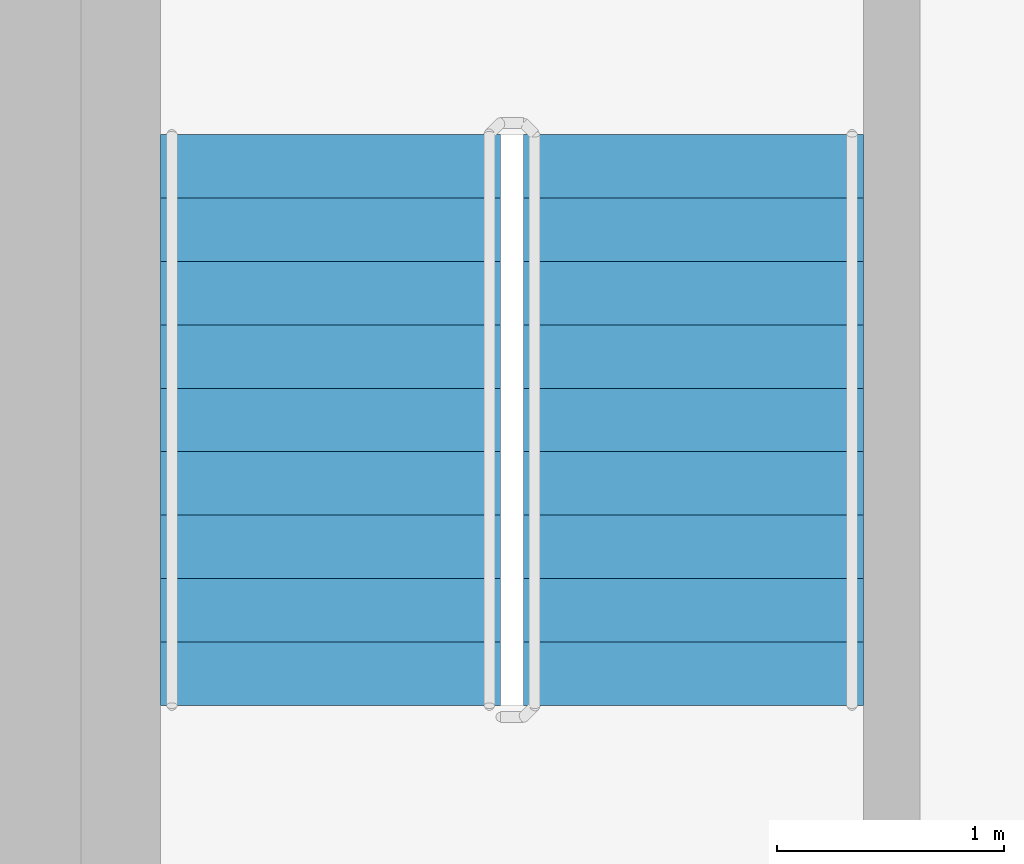
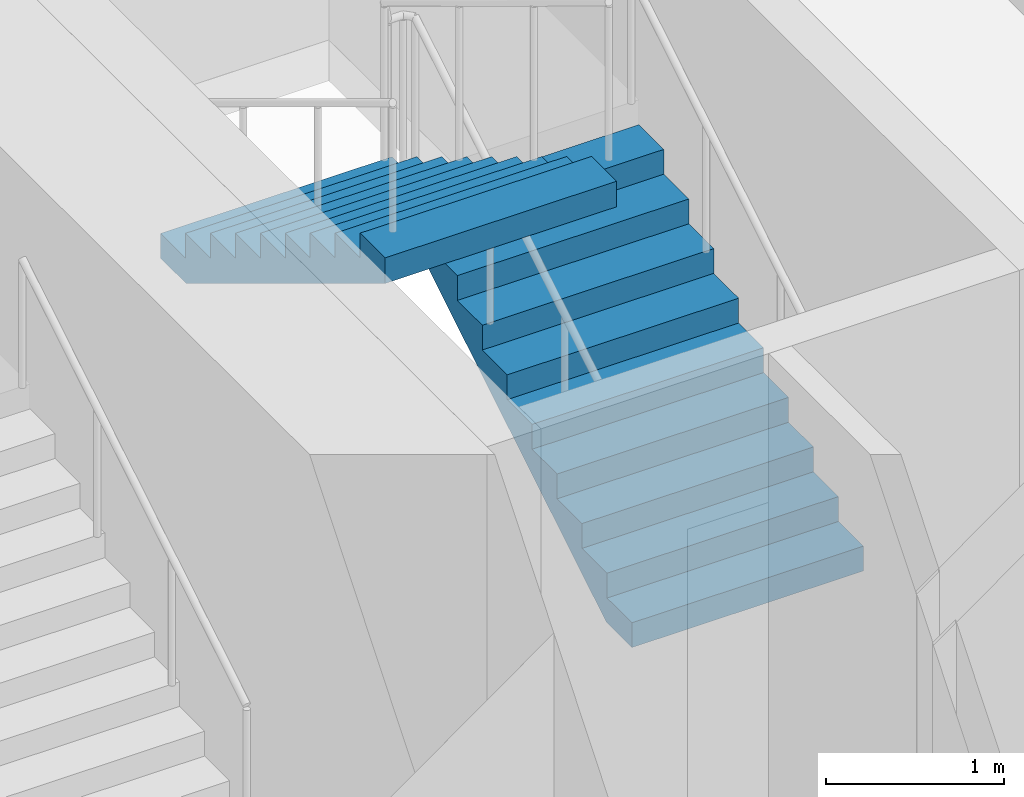
# One storey, part 14 of 22: 2 stair flights, 1 element without a shape of its own.
"""IFC4 building model written with IfcOpenShell, lengths in metres."""

from ifc_helpers import new_model, si_unit, direction, frame, origin, place, context, subcontext, project, spatial, triangles, source, transform, mapped, material, type_object, element, aggregate, save


model = new_model("IFC4")

# Units and contexts
model_context = context("Model", 3, precision=1e-05, world=origin(), true_north=direction((0.0, 1.0)))
body_context = subcontext(model_context, "Body", "Model", "MODEL_VIEW")
ifc_project = project(units=[si_unit("LENGTHUNIT", "METRE"), si_unit("AREAUNIT", "SQUARE_METRE"), si_unit("VOLUMEUNIT", "CUBIC_METRE"), si_unit("PLANEANGLEUNIT", "RADIAN"), si_unit("MASSUNIT", "GRAM", prefix="KILO")], contexts=[model_context])

# Site, building, storey
site_placement = place(None, origin())
site = spatial("IfcSite", under=ifc_project, at=site_placement, CompositionType="ELEMENT")
building_placement = place(site_placement, origin())
building = spatial("IfcBuilding", under=site, at=building_placement, Name="Kilnfold Tower and Market Hall", CompositionType="ELEMENT")
storey_placement = place(building_placement, frame((0.0, 0.0, 143.89990234375)))
storey = spatial("IfcBuildingStorey", under=building, at=storey_placement, Name="L32", CompositionType="ELEMENT", Elevation=143.89990234375)

# Stair, stair flights
ifc_material_1 = material(Name="Concrete C40/50", Category="concrete")
stair_type = type_object("IfcStairType", Name="CORE STAIR 1500", PredefinedType="HALF_TURN_STAIR", material=ifc_material_1)
stair_placement = place(storey_placement, origin())
stair = element("IfcStair", 1, at=stair_placement, inside=storey, type_object=stair_type, Name="L32 ST5", PredefinedType="HALF_TURN_STAIR")
ifc_material_2 = material(Name="Concrete C40/50", Category="concrete")
stair_flight_type = type_object("IfcStairFlightType", Name="CORE STAIR FLIGHT 1500", PredefinedType="STRAIGHT", material=ifc_material_2)
shared_shape = source(origin(), body_context, "Body", "Tessellation", [
    triangles([(0.0, 0.75, 0.0), (0.0, 0.65625, 0.0), (0.0, 0.5625, 0.0), (0.0, 0.46875, 0.0), (0.0, 0.375, 0.0), (0.0, 0.28125, 0.0), (0.0, 0.1875, 0.0), (0.0, 0.09375, 0.0), (0.0, 0.0, 0.0), (0.0, -0.09375, 0.0), (0.0, -0.1875, 0.0), (0.0, -0.28125, 0.0), (0.0, -0.375, 0.0), (0.0, -0.46875, 0.0), (0.0, -0.5625, 0.0), (0.0, -0.65625, 0.0), (0.0, -0.75, 0.0), (0.0, 0.75, 0.169921875), (0.0, 0.65625, 0.169921875), (0.0, 0.5625, 0.169921875), (0.0, 0.46875, 0.169921875), (0.0, 0.375, 0.169921875), (0.0, 0.28125, 0.169921875), (0.0, 0.1875, 0.169921875), (0.0, 0.09375, 0.169921875), (0.0, 0.0, 0.169921875), (0.0, -0.09375, 0.169921875), (0.0, -0.1875, 0.169921875), (0.0, -0.28125, 0.169921875), (0.0, -0.375, 0.169921875), (0.0, -0.46875, 0.169921875), (0.0, -0.5625, 0.169921875), (0.0, -0.65625, 0.169921875), (0.0, -0.75, 0.169921875), (0.280029296875, 0.75, 0.169921875), (0.280029296875, 0.65625, 0.169921875), (0.280029296875, 0.5625, 0.169921875), (0.280029296875, 0.46875, 0.169921875), (0.280029296875, 0.375, 0.169921875), (0.280029296875, 0.28125, 0.169921875), (0.280029296875, 0.1875, 0.169921875), (0.280029296875, 0.09375, 0.169921875), (0.280029296875, 0.0, 0.169921875), (0.280029296875, -0.09375, 0.169921875), (0.280029296875, -0.1875, 0.169921875), (0.280029296875, -0.28125, 0.169921875), (0.280029296875, -0.375, 0.169921875), (0.280029296875, -0.46875, 0.169921875), (0.280029296875, -0.5625, 0.169921875), (0.280029296875, -0.65625, 0.169921875), (0.280029296875, -0.75, 0.169921875), (0.280029296875, 0.75, 0.340087890625), (0.280029296875, 0.65625, 0.340087890625), (0.280029296875, 0.5625, 0.340087890625), (0.280029296875, 0.46875, 0.340087890625), (0.280029296875, 0.375, 0.340087890625), (0.280029296875, 0.28125, 0.340087890625), (0.280029296875, 0.1875, 0.340087890625), (0.280029296875, 0.09375, 0.340087890625), (0.280029296875, 0.0, 0.340087890625), (0.280029296875, -0.09375, 0.340087890625), (0.280029296875, -0.1875, 0.340087890625), (0.280029296875, -0.28125, 0.340087890625), (0.280029296875, -0.375, 0.340087890625), (0.280029296875, -0.46875, 0.340087890625), (0.280029296875, -0.5625, 0.340087890625), (0.280029296875, -0.65625, 0.340087890625), (0.280029296875, -0.75, 0.340087890625), (0.56005859375, 0.75, 0.340087890625), (0.56005859375, 0.65625, 0.340087890625), (0.56005859375, 0.5625, 0.340087890625), (0.56005859375, 0.46875, 0.340087890625), (0.56005859375, 0.375, 0.340087890625), (0.56005859375, 0.28125, 0.340087890625), (0.56005859375, 0.1875, 0.340087890625), (0.56005859375, 0.09375, 0.340087890625), (0.56005859375, 0.0, 0.340087890625), (0.56005859375, -0.09375, 0.340087890625), (0.56005859375, -0.1875, 0.340087890625), (0.56005859375, -0.28125, 0.340087890625), (0.56005859375, -0.375, 0.340087890625), (0.56005859375, -0.46875, 0.340087890625), (0.56005859375, -0.5625, 0.340087890625), (0.56005859375, -0.65625, 0.340087890625), (0.56005859375, -0.75, 0.340087890625), (0.56005859375, 0.75, 0.510009765625), (0.56005859375, 0.65625, 0.510009765625), (0.56005859375, 0.5625, 0.510009765625), (0.56005859375, 0.46875, 0.510009765625), (0.56005859375, 0.375, 0.510009765625), (0.56005859375, 0.28125, 0.510009765625), (0.56005859375, 0.1875, 0.510009765625), (0.56005859375, 0.09375, 0.510009765625), (0.56005859375, 0.0, 0.510009765625), (0.56005859375, -0.09375, 0.510009765625), (0.56005859375, -0.1875, 0.510009765625), (0.56005859375, -0.28125, 0.510009765625), (0.56005859375, -0.375, 0.510009765625), (0.56005859375, -0.46875, 0.510009765625), (0.56005859375, -0.5625, 0.510009765625), (0.56005859375, -0.65625, 0.510009765625), (0.56005859375, -0.75, 0.510009765625), (0.840087890625, 0.75, 0.510009765625), (0.840087890625, 0.65625, 0.510009765625), (0.840087890625, 0.5625, 0.510009765625), (0.840087890625, 0.46875, 0.510009765625), (0.840087890625, 0.375, 0.510009765625), (0.840087890625, 0.28125, 0.510009765625), (0.840087890625, 0.1875, 0.510009765625), (0.840087890625, 0.09375, 0.510009765625), (0.840087890625, 0.0, 0.510009765625), (0.840087890625, -0.09375, 0.510009765625), (0.840087890625, -0.1875, 0.510009765625), (0.840087890625, -0.28125, 0.510009765625), (0.840087890625, -0.375, 0.510009765625), (0.840087890625, -0.46875, 0.510009765625), (0.840087890625, -0.5625, 0.510009765625), (0.840087890625, -0.65625, 0.510009765625), (0.840087890625, -0.75, 0.510009765625), (0.840087890625, 0.75, 0.679931640625), (0.840087890625, 0.65625, 0.679931640625), (0.840087890625, 0.5625, 0.679931640625), (0.840087890625, 0.46875, 0.679931640625), (0.840087890625, 0.375, 0.679931640625), (0.840087890625, 0.28125, 0.679931640625), (0.840087890625, 0.1875, 0.679931640625), (0.840087890625, 0.09375, 0.679931640625), (0.840087890625, 0.0, 0.679931640625), (0.840087890625, -0.09375, 0.679931640625), (0.840087890625, -0.1875, 0.679931640625), (0.840087890625, -0.28125, 0.679931640625), (0.840087890625, -0.375, 0.679931640625), (0.840087890625, -0.46875, 0.679931640625), (0.840087890625, -0.5625, 0.679931640625), (0.840087890625, -0.65625, 0.679931640625), (0.840087890625, -0.75, 0.679931640625), (1.1201171875, 0.75, 0.679931640625), (1.1201171875, 0.65625, 0.679931640625), (1.1201171875, 0.5625, 0.679931640625), (1.1201171875, 0.46875, 0.679931640625), (1.1201171875, 0.375, 0.679931640625), (1.1201171875, 0.28125, 0.679931640625), (1.1201171875, 0.1875, 0.679931640625), (1.1201171875, 0.09375, 0.679931640625), (1.1201171875, 0.0, 0.679931640625), (1.1201171875, -0.09375, 0.679931640625), (1.1201171875, -0.1875, 0.679931640625), (1.1201171875, -0.28125, 0.679931640625), (1.1201171875, -0.375, 0.679931640625), (1.1201171875, -0.46875, 0.679931640625), (1.1201171875, -0.5625, 0.679931640625), (1.1201171875, -0.65625, 0.679931640625), (1.1201171875, -0.75, 0.679931640625), (1.1201171875, 0.75, 0.85009765625), (1.1201171875, 0.65625, 0.85009765625), (1.1201171875, 0.5625, 0.85009765625), (1.1201171875, 0.46875, 0.85009765625), (1.1201171875, 0.375, 0.85009765625), (1.1201171875, 0.28125, 0.85009765625), (1.1201171875, 0.1875, 0.85009765625), (1.1201171875, 0.09375, 0.85009765625), (1.1201171875, 0.0, 0.85009765625), (1.1201171875, -0.09375, 0.85009765625), (1.1201171875, -0.1875, 0.85009765625), (1.1201171875, -0.28125, 0.85009765625), (1.1201171875, -0.375, 0.85009765625), (1.1201171875, -0.46875, 0.85009765625), (1.1201171875, -0.5625, 0.85009765625), (1.1201171875, -0.65625, 0.85009765625), (1.1201171875, -0.75, 0.85009765625), (1.39990234375, 0.75, 0.85009765625), (1.39990234375, 0.65625, 0.85009765625), (1.39990234375, 0.5625, 0.85009765625), (1.39990234375, 0.46875, 0.85009765625), (1.39990234375, 0.375, 0.85009765625), (1.39990234375, 0.28125, 0.85009765625), (1.39990234375, 0.1875, 0.85009765625), (1.39990234375, 0.09375, 0.85009765625), (1.39990234375, 0.0, 0.85009765625), (1.39990234375, -0.09375, 0.85009765625), (1.39990234375, -0.1875, 0.85009765625), (1.39990234375, -0.28125, 0.85009765625), (1.39990234375, -0.375, 0.85009765625), (1.39990234375, -0.46875, 0.85009765625), (1.39990234375, -0.5625, 0.85009765625), (1.39990234375, -0.65625, 0.85009765625), (1.39990234375, -0.75, 0.85009765625), (1.39990234375, 0.75, 1.02001953125), (1.39990234375, 0.65625, 1.02001953125), (1.39990234375, 0.5625, 1.02001953125), (1.39990234375, 0.46875, 1.02001953125), (1.39990234375, 0.375, 1.02001953125), (1.39990234375, 0.28125, 1.02001953125), (1.39990234375, 0.1875, 1.02001953125), (1.39990234375, 0.09375, 1.02001953125), (1.39990234375, 0.0, 1.02001953125), (1.39990234375, -0.09375, 1.02001953125), (1.39990234375, -0.1875, 1.02001953125), (1.39990234375, -0.28125, 1.02001953125), (1.39990234375, -0.375, 1.02001953125), (1.39990234375, -0.46875, 1.02001953125), (1.39990234375, -0.5625, 1.02001953125), (1.39990234375, -0.65625, 1.02001953125), (1.39990234375, -0.75, 1.02001953125), (1.679931640625, 0.75, 1.02001953125), (1.679931640625, 0.65625, 1.02001953125), (1.679931640625, 0.5625, 1.02001953125), (1.679931640625, 0.46875, 1.02001953125), (1.679931640625, 0.375, 1.02001953125), (1.679931640625, 0.28125, 1.02001953125), (1.679931640625, 0.1875, 1.02001953125), (1.679931640625, 0.09375, 1.02001953125), (1.679931640625, 0.0, 1.02001953125), (1.679931640625, -0.09375, 1.02001953125), (1.679931640625, -0.1875, 1.02001953125), (1.679931640625, -0.28125, 1.02001953125), (1.679931640625, -0.375, 1.02001953125), (1.679931640625, -0.46875, 1.02001953125), (1.679931640625, -0.5625, 1.02001953125), (1.679931640625, -0.65625, 1.02001953125), (1.679931640625, -0.75, 1.02001953125), (1.679931640625, 0.75, 1.18994140625), (1.679931640625, 0.65625, 1.18994140625), (1.679931640625, 0.5625, 1.18994140625), (1.679931640625, 0.46875, 1.18994140625), (1.679931640625, 0.375, 1.18994140625), (1.679931640625, 0.28125, 1.18994140625), (1.679931640625, 0.1875, 1.18994140625), (1.679931640625, 0.09375, 1.18994140625), (1.679931640625, 0.0, 1.18994140625), (1.679931640625, -0.09375, 1.18994140625), (1.679931640625, -0.1875, 1.18994140625), (1.679931640625, -0.28125, 1.18994140625), (1.679931640625, -0.375, 1.18994140625), (1.679931640625, -0.46875, 1.18994140625), (1.679931640625, -0.5625, 1.18994140625), (1.679931640625, -0.65625, 1.18994140625), (1.679931640625, -0.75, 1.18994140625), (1.9599609375, 0.75, 1.18994140625), (1.9599609375, 0.65625, 1.18994140625), (1.9599609375, 0.5625, 1.18994140625), (1.9599609375, 0.46875, 1.18994140625), (1.9599609375, 0.375, 1.18994140625), (1.9599609375, 0.28125, 1.18994140625), (1.9599609375, 0.1875, 1.18994140625), (1.9599609375, 0.09375, 1.18994140625), (1.9599609375, 0.0, 1.18994140625), (1.9599609375, -0.09375, 1.18994140625), (1.9599609375, -0.1875, 1.18994140625), (1.9599609375, -0.28125, 1.18994140625), (1.9599609375, -0.375, 1.18994140625), (1.9599609375, -0.46875, 1.18994140625), (1.9599609375, -0.5625, 1.18994140625), (1.9599609375, -0.65625, 1.18994140625), (1.9599609375, -0.75, 1.18994140625), (1.9599609375, 0.75, 1.360107421875), (1.9599609375, 0.65625, 1.360107421875), (1.9599609375, 0.5625, 1.360107421875), (1.9599609375, 0.46875, 1.360107421875), (1.9599609375, 0.375, 1.360107421875), (1.9599609375, 0.28125, 1.360107421875), (1.9599609375, 0.1875, 1.360107421875), (1.9599609375, 0.09375, 1.360107421875), (1.9599609375, 0.0, 1.360107421875), (1.9599609375, -0.09375, 1.360107421875), (1.9599609375, -0.1875, 1.360107421875), (1.9599609375, -0.28125, 1.360107421875), (1.9599609375, -0.375, 1.360107421875), (1.9599609375, -0.46875, 1.360107421875), (1.9599609375, -0.5625, 1.360107421875), (1.9599609375, -0.65625, 1.360107421875), (1.9599609375, -0.75, 1.360107421875), (2.239990234375, 0.75, 1.360107421875), (2.239990234375, 0.65625, 1.360107421875), (2.239990234375, 0.5625, 1.360107421875), (2.239990234375, 0.46875, 1.360107421875), (2.239990234375, 0.375, 1.360107421875), (2.239990234375, 0.28125, 1.360107421875), (2.239990234375, 0.1875, 1.360107421875), (2.239990234375, 0.09375, 1.360107421875), (2.239990234375, 0.0, 1.360107421875), (2.239990234375, -0.09375, 1.360107421875), (2.239990234375, -0.1875, 1.360107421875), (2.239990234375, -0.28125, 1.360107421875), (2.239990234375, -0.375, 1.360107421875), (2.239990234375, -0.46875, 1.360107421875), (2.239990234375, -0.5625, 1.360107421875), (2.239990234375, -0.65625, 1.360107421875), (2.239990234375, -0.75, 1.360107421875), (2.239990234375, 0.75, 1.530029296875), (2.239990234375, 0.65625, 1.530029296875), (2.239990234375, 0.5625, 1.530029296875), (2.239990234375, 0.46875, 1.530029296875), (2.239990234375, 0.375, 1.530029296875), (2.239990234375, 0.28125, 1.530029296875), (2.239990234375, 0.1875, 1.530029296875), (2.239990234375, 0.09375, 1.530029296875), (2.239990234375, 0.0, 1.530029296875), (2.239990234375, -0.09375, 1.530029296875), (2.239990234375, -0.1875, 1.530029296875), (2.239990234375, -0.28125, 1.530029296875), (2.239990234375, -0.375, 1.530029296875), (2.239990234375, -0.46875, 1.530029296875), (2.239990234375, -0.5625, 1.530029296875), (2.239990234375, -0.65625, 1.530029296875), (2.239990234375, -0.75, 1.530029296875), (2.52001953125, 0.75, 1.530029296875), (2.52001953125, 0.65625, 1.530029296875), (2.52001953125, 0.5625, 1.530029296875), (2.52001953125, 0.46875, 1.530029296875), (2.52001953125, 0.375, 1.530029296875), (2.52001953125, 0.28125, 1.530029296875), (2.52001953125, 0.1875, 1.530029296875), (2.52001953125, 0.09375, 1.530029296875), (2.52001953125, 0.0, 1.530029296875), (2.52001953125, -0.09375, 1.530029296875), (2.52001953125, -0.1875, 1.530029296875), (2.52001953125, -0.28125, 1.530029296875), (2.52001953125, -0.375, 1.530029296875), (2.52001953125, -0.46875, 1.530029296875), (2.52001953125, -0.5625, 1.530029296875), (2.52001953125, -0.65625, 1.530029296875), (2.52001953125, -0.75, 1.530029296875), (2.52001953125, 0.75, 1.354736328125), (2.52001953125, 0.65625, 1.354736328125), (2.52001953125, 0.5625, 1.354736328125), (2.52001953125, 0.46875, 1.354736328125), (2.52001953125, 0.375, 1.354736328125), (2.52001953125, 0.28125, 1.354736328125), (2.52001953125, 0.1875, 1.354736328125), (2.52001953125, 0.09375, 1.354736328125), (2.52001953125, 0.0, 1.354736328125), (2.52001953125, -0.09375, 1.354736328125), (2.52001953125, -0.1875, 1.354736328125), (2.52001953125, -0.28125, 1.354736328125), (2.52001953125, -0.375, 1.354736328125), (2.52001953125, -0.46875, 1.354736328125), (2.52001953125, -0.5625, 1.354736328125), (2.52001953125, -0.65625, 1.354736328125), (2.52001953125, -0.75, 1.354736328125), (0.288818359375, 0.75, 0.0), (0.288818359375, 0.65625, 0.0), (0.288818359375, 0.5625, 0.0), (0.288818359375, 0.46875, 0.0), (0.288818359375, 0.375, 0.0), (0.288818359375, 0.28125, 0.0), (0.288818359375, 0.1875, 0.0), (0.288818359375, 0.09375, 0.0), (0.288818359375, 0.0, 0.0), (0.288818359375, -0.09375, 0.0), (0.288818359375, -0.1875, 0.0), (0.288818359375, -0.28125, 0.0), (0.288818359375, -0.375, 0.0), (0.288818359375, -0.46875, 0.0), (0.288818359375, -0.5625, 0.0), (0.288818359375, -0.65625, 0.0), (0.288818359375, -0.75, 0.0)], [[1, 324, 341], [17, 357, 340], [324, 290, 307], [340, 323, 306], [324, 273, 290], [340, 306, 289], [324, 256, 273], [340, 289, 272], [324, 239, 256], [340, 272, 255], [239, 205, 222], [255, 238, 221], [324, 205, 239], [340, 255, 221], [205, 171, 188], [221, 204, 187], [324, 171, 205], [340, 221, 187], [171, 137, 154], [187, 170, 153], [324, 137, 171], [340, 187, 153], [137, 103, 120], [153, 136, 119], [324, 103, 137], [340, 153, 119], [103, 69, 86], [119, 102, 85], [324, 69, 103], [340, 119, 85], [69, 35, 52], [85, 68, 51], [324, 35, 69], [340, 85, 51], [1, 35, 324], [17, 340, 51], [35, 1, 18], [51, 34, 17], [1, 19, 18], [1, 2, 19], [2, 20, 19], [2, 3, 20], [3, 21, 20], [3, 4, 21], [4, 22, 21], [4, 5, 22], [5, 23, 22], [5, 6, 23], [6, 24, 23], [6, 7, 24], [7, 25, 24], [7, 8, 25], [8, 26, 25], [8, 9, 26], [9, 27, 26], [9, 10, 27], [10, 28, 27], [10, 11, 28], [11, 29, 28], [11, 12, 29], [12, 30, 29], [12, 13, 30], [13, 31, 30], [13, 14, 31], [14, 32, 31], [14, 15, 32], [15, 33, 32], [15, 16, 33], [16, 34, 33], [16, 17, 34], [18, 36, 35], [18, 19, 36], [19, 37, 36], [19, 20, 37], [20, 38, 37], [20, 21, 38], [21, 39, 38], [21, 22, 39], [22, 40, 39], [22, 23, 40], [23, 41, 40], [23, 24, 41], [24, 42, 41], [24, 25, 42], [25, 43, 42], [25, 26, 43], [26, 44, 43], [26, 27, 44], [27, 45, 44], [27, 28, 45], [28, 46, 45], [28, 29, 46], [29, 47, 46], [29, 30, 47], [30, 48, 47], [30, 31, 48], [31, 49, 48], [31, 32, 49], [32, 50, 49], [32, 33, 50], [33, 51, 50], [33, 34, 51], [35, 53, 52], [35, 36, 53], [36, 54, 53], [36, 37, 54], [37, 55, 54], [37, 38, 55], [38, 56, 55], [38, 39, 56], [39, 57, 56], [39, 40, 57], [40, 58, 57], [40, 41, 58], [41, 59, 58], [41, 42, 59], [42, 60, 59], [42, 43, 60], [43, 61, 60], [43, 44, 61], [44, 62, 61], [44, 45, 62], [45, 63, 62], [45, 46, 63], [46, 64, 63], [46, 47, 64], [47, 65, 64], [47, 48, 65], [48, 66, 65], [48, 49, 66], [49, 67, 66], [49, 50, 67], [50, 68, 67], [50, 51, 68], [52, 70, 69], [52, 53, 70], [53, 71, 70], [53, 54, 71], [54, 72, 71], [54, 55, 72], [55, 73, 72], [55, 56, 73], [56, 74, 73], [56, 57, 74], [57, 75, 74], [57, 58, 75], [58, 76, 75], [58, 59, 76], [59, 77, 76], [59, 60, 77], [60, 78, 77], [60, 61, 78], [61, 79, 78], [61, 62, 79], [62, 80, 79], [62, 63, 80], [63, 81, 80], [63, 64, 81], [64, 82, 81], [64, 65, 82], [65, 83, 82], [65, 66, 83], [66, 84, 83], [66, 67, 84], [67, 85, 84], [67, 68, 85], [69, 87, 86], [69, 70, 87], [70, 88, 87], [70, 71, 88], [71, 89, 88], [71, 72, 89], [72, 90, 89], [72, 73, 90], [73, 91, 90], [73, 74, 91], [74, 92, 91], [74, 75, 92], [75, 93, 92], [75, 76, 93], [76, 94, 93], [76, 77, 94], [77, 95, 94], [77, 78, 95], [78, 96, 95], [78, 79, 96], [79, 97, 96], [79, 80, 97], [80, 98, 97], [80, 81, 98], [81, 99, 98], [81, 82, 99], [82, 100, 99], [82, 83, 100], [83, 101, 100], [83, 84, 101], [84, 102, 101], [84, 85, 102], [86, 104, 103], [86, 87, 104], [87, 105, 104], [87, 88, 105], [88, 106, 105], [88, 89, 106], [89, 107, 106], [89, 90, 107], [90, 108, 107], [90, 91, 108], [91, 109, 108], [91, 92, 109], [92, 110, 109], [92, 93, 110], [93, 111, 110], [93, 94, 111], [94, 112, 111], [94, 95, 112], [95, 113, 112], [95, 96, 113], [96, 114, 113], [96, 97, 114], [97, 115, 114], [97, 98, 115], [98, 116, 115], [98, 99, 116], [99, 117, 116], [99, 100, 117], [100, 118, 117], [100, 101, 118], [101, 119, 118], [101, 102, 119], [103, 121, 120], [103, 104, 121], [104, 122, 121], [104, 105, 122], [105, 123, 122], [105, 106, 123], [106, 124, 123], [106, 107, 124], [107, 125, 124], [107, 108, 125], [108, 126, 125], [108, 109, 126], [109, 127, 126], [109, 110, 127], [110, 128, 127], [110, 111, 128], [111, 129, 128], [111, 112, 129], [112, 130, 129], [112, 113, 130], [113, 131, 130], [113, 114, 131], [114, 132, 131], [114, 115, 132], [115, 133, 132], [115, 116, 133], [116, 134, 133], [116, 117, 134], [117, 135, 134], [117, 118, 135], [118, 136, 135], [118, 119, 136], [120, 138, 137], [120, 121, 138], [121, 139, 138], [121, 122, 139], [122, 140, 139], [122, 123, 140], [123, 141, 140], [123, 124, 141], [124, 142, 141], [124, 125, 142], [125, 143, 142], [125, 126, 143], [126, 144, 143], [126, 127, 144], [127, 145, 144], [127, 128, 145], [128, 146, 145], [128, 129, 146], [129, 147, 146], [129, 130, 147], [130, 148, 147], [130, 131, 148], [131, 149, 148], [131, 132, 149], [132, 150, 149], [132, 133, 150], [133, 151, 150], [133, 134, 151], [134, 152, 151], [134, 135, 152], [135, 153, 152], [135, 136, 153], [137, 155, 154], [137, 138, 155], [138, 156, 155], [138, 139, 156], [139, 157, 156], [139, 140, 157], [140, 158, 157], [140, 141, 158], [141, 159, 158], [141, 142, 159], [142, 160, 159], [142, 143, 160], [143, 161, 160], [143, 144, 161], [144, 162, 161], [144, 145, 162], [145, 163, 162], [145, 146, 163], [146, 164, 163], [146, 147, 164], [147, 165, 164], [147, 148, 165], [148, 166, 165], [148, 149, 166], [149, 167, 166], [149, 150, 167], [150, 168, 167], [150, 151, 168], [151, 169, 168], [151, 152, 169], [152, 170, 169], [152, 153, 170], [154, 172, 171], [154, 155, 172], [155, 173, 172], [155, 156, 173], [156, 174, 173], [156, 157, 174], [157, 175, 174], [157, 158, 175], [158, 176, 175], [158, 159, 176], [159, 177, 176], [159, 160, 177], [160, 178, 177], [160, 161, 178], [161, 179, 178], [161, 162, 179], [162, 180, 179], [162, 163, 180], [163, 181, 180], [163, 164, 181], [164, 182, 181], [164, 165, 182], [165, 183, 182], [165, 166, 183], [166, 184, 183], [166, 167, 184], [167, 185, 184], [167, 168, 185], [168, 186, 185], [168, 169, 186], [169, 187, 186], [169, 170, 187], [171, 189, 188], [171, 172, 189], [172, 190, 189], [172, 173, 190], [173, 191, 190], [173, 174, 191], [174, 192, 191], [174, 175, 192], [175, 193, 192], [175, 176, 193], [176, 194, 193], [176, 177, 194], [177, 195, 194], [177, 178, 195], [178, 196, 195], [178, 179, 196], [179, 197, 196], [179, 180, 197], [180, 198, 197], [180, 181, 198], [181, 199, 198], [181, 182, 199], [182, 200, 199], [182, 183, 200], [183, 201, 200], [183, 184, 201], [184, 202, 201], [184, 185, 202], [185, 203, 202], [185, 186, 203], [186, 204, 203], [186, 187, 204], [188, 206, 205], [188, 189, 206], [189, 207, 206], [189, 190, 207], [190, 208, 207], [190, 191, 208], [191, 209, 208], [191, 192, 209], [192, 210, 209], [192, 193, 210], [193, 211, 210], [193, 194, 211], [194, 212, 211], [194, 195, 212], [195, 213, 212], [195, 196, 213], [196, 214, 213], [196, 197, 214], [197, 215, 214], [197, 198, 215], [198, 216, 215], [198, 199, 216], [199, 217, 216], [199, 200, 217], [200, 218, 217], [200, 201, 218], [201, 219, 218], [201, 202, 219], [202, 220, 219], [202, 203, 220], [203, 221, 220], [203, 204, 221], [205, 223, 222], [205, 206, 223], [206, 224, 223], [206, 207, 224], [207, 225, 224], [207, 208, 225], [208, 226, 225], [208, 209, 226], [209, 227, 226], [209, 210, 227], [210, 228, 227], [210, 211, 228], [211, 229, 228], [211, 212, 229], [212, 230, 229], [212, 213, 230], [213, 231, 230], [213, 214, 231], [214, 232, 231], [214, 215, 232], [215, 233, 232], [215, 216, 233], [216, 234, 233], [216, 217, 234], [217, 235, 234], [217, 218, 235], [218, 236, 235], [218, 219, 236], [219, 237, 236], [219, 220, 237], [220, 238, 237], [220, 221, 238], [222, 240, 239], [222, 223, 240], [223, 241, 240], [223, 224, 241], [224, 242, 241], [224, 225, 242], [225, 243, 242], [225, 226, 243], [226, 244, 243], [226, 227, 244], [227, 245, 244], [227, 228, 245], [228, 246, 245], [228, 229, 246], [229, 247, 246], [229, 230, 247], [230, 248, 247], [230, 231, 248], [231, 249, 248], [231, 232, 249], [232, 250, 249], [232, 233, 250], [233, 251, 250], [233, 234, 251], [234, 252, 251], [234, 235, 252], [235, 253, 252], [235, 236, 253], [236, 254, 253], [236, 237, 254], [237, 255, 254], [237, 238, 255], [239, 257, 256], [239, 240, 257], [240, 258, 257], [240, 241, 258], [241, 259, 258], [241, 242, 259], [242, 260, 259], [242, 243, 260], [243, 261, 260], [243, 244, 261], [244, 262, 261], [244, 245, 262], [245, 263, 262], [245, 246, 263], [246, 264, 263], [246, 247, 264], [247, 265, 264], [247, 248, 265], [248, 266, 265], [248, 249, 266], [249, 267, 266], [249, 250, 267], [250, 268, 267], [250, 251, 268], [251, 269, 268], [251, 252, 269], [252, 270, 269], [252, 253, 270], [253, 271, 270], [253, 254, 271], [254, 272, 271], [254, 255, 272], [256, 274, 273], [256, 257, 274], [257, 275, 274], [257, 258, 275], [258, 276, 275], [258, 259, 276], [259, 277, 276], [259, 260, 277], [260, 278, 277], [260, 261, 278], [261, 279, 278], [261, 262, 279], [262, 280, 279], [262, 263, 280], [263, 281, 280], [263, 264, 281], [264, 282, 281], [264, 265, 282], [265, 283, 282], [265, 266, 283], [266, 284, 283], [266, 267, 284], [267, 285, 284], [267, 268, 285], [268, 286, 285], [268, 269, 286], [269, 287, 286], [269, 270, 287], [270, 288, 287], [270, 271, 288], [271, 289, 288], [271, 272, 289], [273, 291, 290], [273, 274, 291], [274, 292, 291], [274, 275, 292], [275, 293, 292], [275, 276, 293], [276, 294, 293], [276, 277, 294], [277, 295, 294], [277, 278, 295], [278, 296, 295], [278, 279, 296], [279, 297, 296], [279, 280, 297], [280, 298, 297], [280, 281, 298], [281, 299, 298], [281, 282, 299], [282, 300, 299], [282, 283, 300], [283, 301, 300], [283, 284, 301], [284, 302, 301], [284, 285, 302], [285, 303, 302], [285, 286, 303], [286, 304, 303], [286, 287, 304], [287, 305, 304], [287, 288, 305], [288, 306, 305], [288, 289, 306], [290, 308, 307], [290, 291, 308], [291, 309, 308], [291, 292, 309], [292, 310, 309], [292, 293, 310], [293, 311, 310], [293, 294, 311], [294, 312, 311], [294, 295, 312], [295, 313, 312], [295, 296, 313], [296, 314, 313], [296, 297, 314], [297, 315, 314], [297, 298, 315], [298, 316, 315], [298, 299, 316], [299, 317, 316], [299, 300, 317], [300, 318, 317], [300, 301, 318], [301, 319, 318], [301, 302, 319], [302, 320, 319], [302, 303, 320], [303, 321, 320], [303, 304, 321], [304, 322, 321], [304, 305, 322], [305, 323, 322], [305, 306, 323], [307, 325, 324], [307, 308, 325], [308, 326, 325], [308, 309, 326], [309, 327, 326], [309, 310, 327], [310, 328, 327], [310, 311, 328], [311, 329, 328], [311, 312, 329], [312, 330, 329], [312, 313, 330], [313, 331, 330], [313, 314, 331], [314, 332, 331], [314, 315, 332], [315, 333, 332], [315, 316, 333], [316, 334, 333], [316, 317, 334], [317, 335, 334], [317, 318, 335], [318, 336, 335], [318, 319, 336], [319, 337, 336], [319, 320, 337], [320, 338, 337], [320, 321, 338], [321, 339, 338], [321, 322, 339], [322, 340, 339], [322, 323, 340], [324, 342, 341], [324, 325, 342], [325, 343, 342], [325, 326, 343], [326, 344, 343], [326, 327, 344], [327, 345, 344], [327, 328, 345], [328, 346, 345], [328, 329, 346], [329, 347, 346], [329, 330, 347], [330, 348, 347], [330, 331, 348], [331, 349, 348], [331, 332, 349], [332, 350, 349], [332, 333, 350], [333, 351, 350], [333, 334, 351], [334, 352, 351], [334, 335, 352], [335, 353, 352], [335, 336, 353], [336, 354, 353], [336, 337, 354], [337, 355, 354], [337, 338, 355], [338, 356, 355], [338, 339, 356], [339, 357, 356], [339, 340, 357], [341, 2, 1], [341, 342, 2], [342, 3, 2], [342, 343, 3], [343, 4, 3], [343, 344, 4], [344, 5, 4], [344, 345, 5], [345, 6, 5], [345, 346, 6], [346, 7, 6], [346, 347, 7], [347, 8, 7], [347, 348, 8], [348, 9, 8], [348, 349, 9], [349, 10, 9], [349, 350, 10], [350, 11, 10], [350, 351, 11], [351, 12, 11], [351, 352, 12], [352, 13, 12], [352, 353, 13], [353, 14, 13], [353, 354, 14], [354, 15, 14], [354, 355, 15], [355, 16, 15], [355, 356, 16], [356, 17, 16], [356, 357, 17]], closed=True),
])
stair_flight_1_placement = place(storey_placement, frame((20.699951171875, 11.5, 0.0), z_axis=(0.0, 0.0, 1.0), x_axis=(0.0, 1.0, 0.0)))
stair_flight_1 = element("IfcStairFlight", 2, at=stair_flight_1_placement, type_object=stair_flight_type, Name="ST5 flight 1", NumberOfRisers=10, NumberOfTreads=9, PredefinedType="STRAIGHT", RiserHeight=0.17, TreadLength=0.28, context=body_context, shape_type="MappedRepresentation", body=[
    mapped(shared_shape, transform((0.0, 0.0, 0.0))),
])
stair_flight_2_placement = place(storey_placement, frame((19.10009765625, 14.02001953125, 1.7001953125), z_axis=(0.0, 0.0, 1.0), x_axis=(0.0, -1.0, 0.0)))
stair_flight_2 = element("IfcStairFlight", 3, at=stair_flight_2_placement, type_object=stair_flight_type, Name="ST5 flight 2", NumberOfRisers=10, NumberOfTreads=9, PredefinedType="STRAIGHT", RiserHeight=0.17, TreadLength=0.28, context=body_context, shape_type="MappedRepresentation", body=[
    mapped(shared_shape, transform((0.0, 0.0, 0.0))),
])
aggregate(stair, [stair_flight_1, stair_flight_2])

save(model, "model.ifc")
